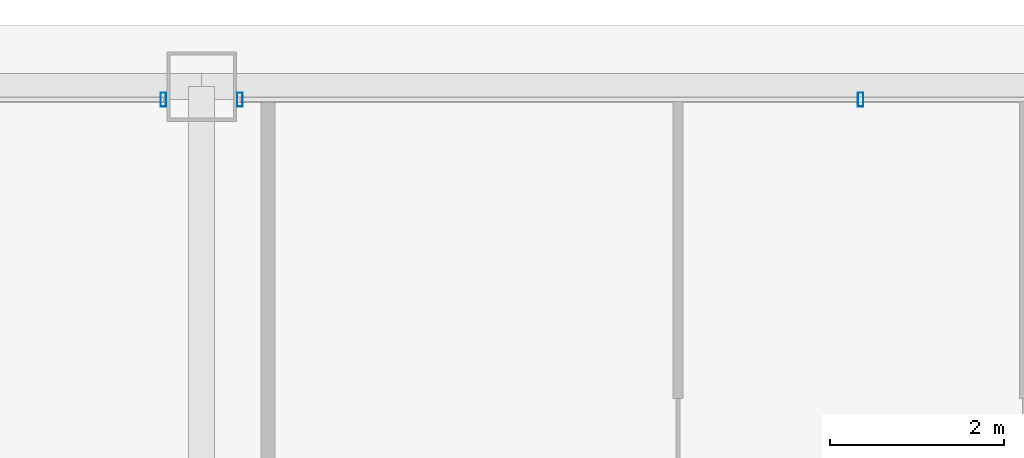
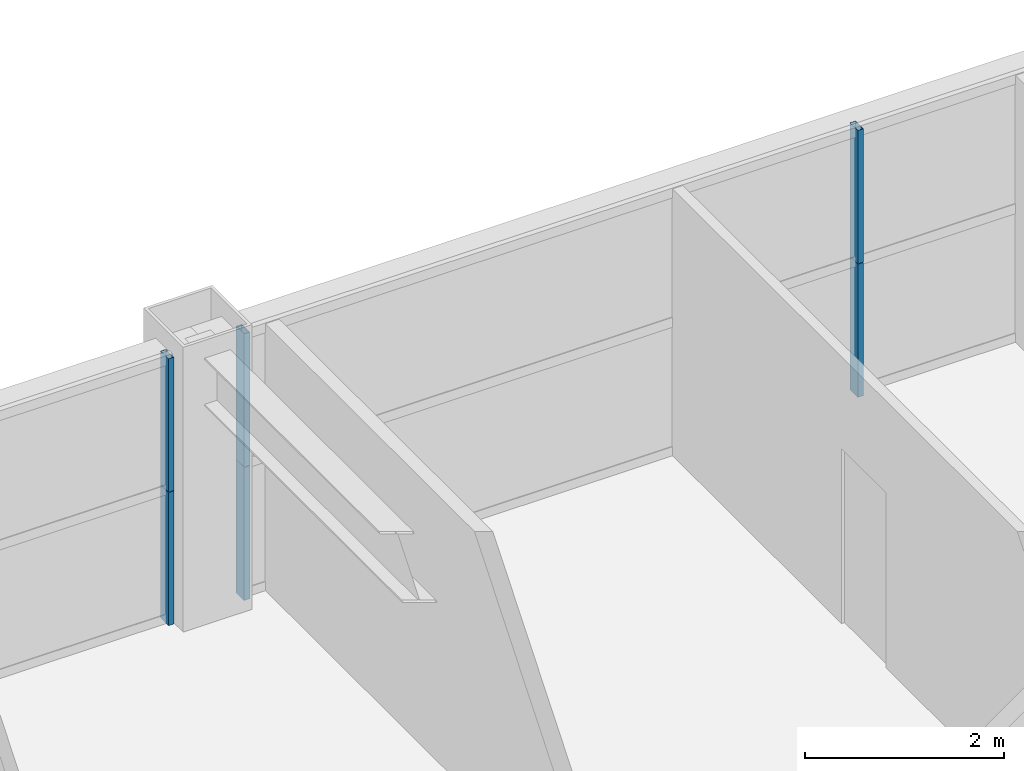
# One storey, part 29 of 38: 6 members, 2 elements without a shape of their own.
"""IFC4 building model written with IfcOpenShell, lengths in metres."""

from ifc_helpers import new_model, si_unit, direction, frame, origin, origin_2d, place, context, subcontext, project, spatial, hollow_rectangle, extrude, source, transform, mapped, material, layer, layer_set, material_profile, profile_set, type_object, element, aggregate, save


model = new_model("IFC4")

# Units and contexts
model_context = context("Model", 3, precision=1e-05, world=origin(), true_north=direction((0.0, 1.0)))
body_context = subcontext(model_context, "Body", "Model", "MODEL_VIEW")
ifc_project = project(units=[si_unit("LENGTHUNIT", "METRE"), si_unit("AREAUNIT", "SQUARE_METRE"), si_unit("VOLUMEUNIT", "CUBIC_METRE"), si_unit("PLANEANGLEUNIT", "RADIAN"), si_unit("MASSUNIT", "GRAM", prefix="KILO"), si_unit("THERMODYNAMICTEMPERATUREUNIT", "KELVIN"), si_unit("POWERUNIT", "WATT")], contexts=[model_context])

# Site, building, storey
site_placement = place(None, origin())
site = spatial("IfcSite", under=ifc_project, at=site_placement, CompositionType="ELEMENT")
building_placement = place(site_placement, origin())
building = spatial("IfcBuilding", under=site, at=building_placement, Name="Yuzanri Waterfront Tower", CompositionType="ELEMENT")
storey_placement = place(building_placement, frame((0.0, 0.0, 195.0)))
storey = spatial("IfcBuildingStorey", under=building, at=storey_placement, Name="L51", CompositionType="ELEMENT", Elevation=195.0)

# Curtain wall, members
ifc_material_1 = material(Name="Anodized Architectural Bronze", Category="metal")
ifc_layer = layer(ifc_material_1, 0.159912109375)
ifc_layer_set = layer_set([ifc_layer], Name="Anodized Architectural Bronze")
curtain_wall_type = type_object("IfcCurtainWallType", Name="Anodized Bronze Mid-Rise Residential Acoustic Unitized Curtain Wall 7200", PredefinedType="NOTDEFINED", material=ifc_layer_set)
curtain_wall_1_placement = place(storey_placement, origin())
curtain_wall_1 = element("IfcCurtainWall", 1, at=curtain_wall_1_placement, inside=storey, type_object=curtain_wall_type, Name="L51 Curtain Wall CW-L51-NL", PredefinedType="NOTDEFINED")
ifc_material_2 = material(Name="Anodized Architectural Bronze", Category="metal")
ifc_material_profile = material_profile(ifc_material_2, hollow_rectangle(XDim=0.06494140625, YDim=0.159912109375, WallThickness=0.00341796875, at=origin_2d()), Name="CWM 65x160")
ifc_profile_set = profile_set([ifc_material_profile], Name="Anodized Architectural Bronze")
member_type = type_object("IfcMemberType", Name="Anodized Bronze Upper-Zone Curtain-Wall Mullion 65x160", PredefinedType="MULLION", material=ifc_profile_set)
shared_shape = source(origin(), body_context, "Body", "SweptSolid", [
    extrude(hollow_rectangle(XDim=0.06494140625, YDim=0.159912109375, WallThickness=0.00341796875, at=origin_2d()), origin(), (0.0, 0.0, 1.0), 1.637939453125),
])
member_1_placement = place(storey_placement, frame((36.56005859375, 47.75, 0.0), z_axis=(0.0, 0.0, 1.0), x_axis=(1.0, 0.0, 0.0)))
member_1 = element("IfcMember", 2, at=member_1_placement, type_object=member_type, Name="CW-L51-NL Lower Mullion 02", PredefinedType="MULLION", context=body_context, shape_type="MappedRepresentation", body=[
    mapped(shared_shape, transform((0.0, 0.0, 0.0), scale=1.0)),
])
member_2_placement = place(storey_placement, frame((36.56005859375, 47.75, 1.64208984375), z_axis=(0.0, 0.0, 1.0), x_axis=(1.0, 0.0, 0.0)))
member_2 = element("IfcMember", 3, at=member_2_placement, type_object=member_type, Name="CW-L51-NL Upper Mullion 02", PredefinedType="MULLION", context=body_context, shape_type="MappedRepresentation", body=[
    mapped(shared_shape, transform((0.0, 0.0, 0.0), scale=1.0)),
])
aggregate(curtain_wall_1, [member_1, member_2])

curtain_wall_2_placement = place(storey_placement, origin())
curtain_wall_2 = element("IfcCurtainWall", 4, at=curtain_wall_2_placement, inside=storey, type_object=curtain_wall_type, Name="L51 Curtain Wall CW-L51-NR", PredefinedType="NOTDEFINED")
member_3_placement = place(storey_placement, frame((37.43994140625, 47.75, 0.0), z_axis=(0.0, 0.0, 1.0), x_axis=(1.0, 0.0, 0.0)))
member_3 = element("IfcMember", 5, at=member_3_placement, type_object=member_type, Name="CW-L51-NR Lower Mullion 00", PredefinedType="MULLION", context=body_context, shape_type="MappedRepresentation", body=[
    mapped(shared_shape, transform((0.0, 0.0, 0.0), scale=1.0)),
])
member_4_placement = place(storey_placement, frame((37.43994140625, 47.75, 1.64208984375), z_axis=(0.0, 0.0, 1.0), x_axis=(1.0, 0.0, 0.0)))
member_4 = element("IfcMember", 6, at=member_4_placement, type_object=member_type, Name="CW-L51-NR Upper Mullion 00", PredefinedType="MULLION", context=body_context, shape_type="MappedRepresentation", body=[
    mapped(shared_shape, transform((0.0, 0.0, 0.0), scale=1.0)),
])
member_5_placement = place(storey_placement, frame((44.574951171875, 47.75, 0.0), z_axis=(0.0, 0.0, 1.0), x_axis=(1.0, 0.0, 0.0)))
member_5 = element("IfcMember", 7, at=member_5_placement, type_object=member_type, Name="CW-L51-NR Lower Mullion 01", PredefinedType="MULLION", context=body_context, shape_type="MappedRepresentation", body=[
    mapped(shared_shape, transform((0.0, 0.0, 0.0), scale=1.0)),
])
member_6_placement = place(storey_placement, frame((44.574951171875, 47.75, 1.64208984375), z_axis=(0.0, 0.0, 1.0), x_axis=(1.0, 0.0, 0.0)))
member_6 = element("IfcMember", 8, at=member_6_placement, type_object=member_type, Name="CW-L51-NR Upper Mullion 01", PredefinedType="MULLION", context=body_context, shape_type="MappedRepresentation", body=[
    mapped(shared_shape, transform((0.0, 0.0, 0.0), scale=1.0)),
])
aggregate(curtain_wall_2, [member_3, member_4, member_5, member_6])

save(model, "model.ifc")
